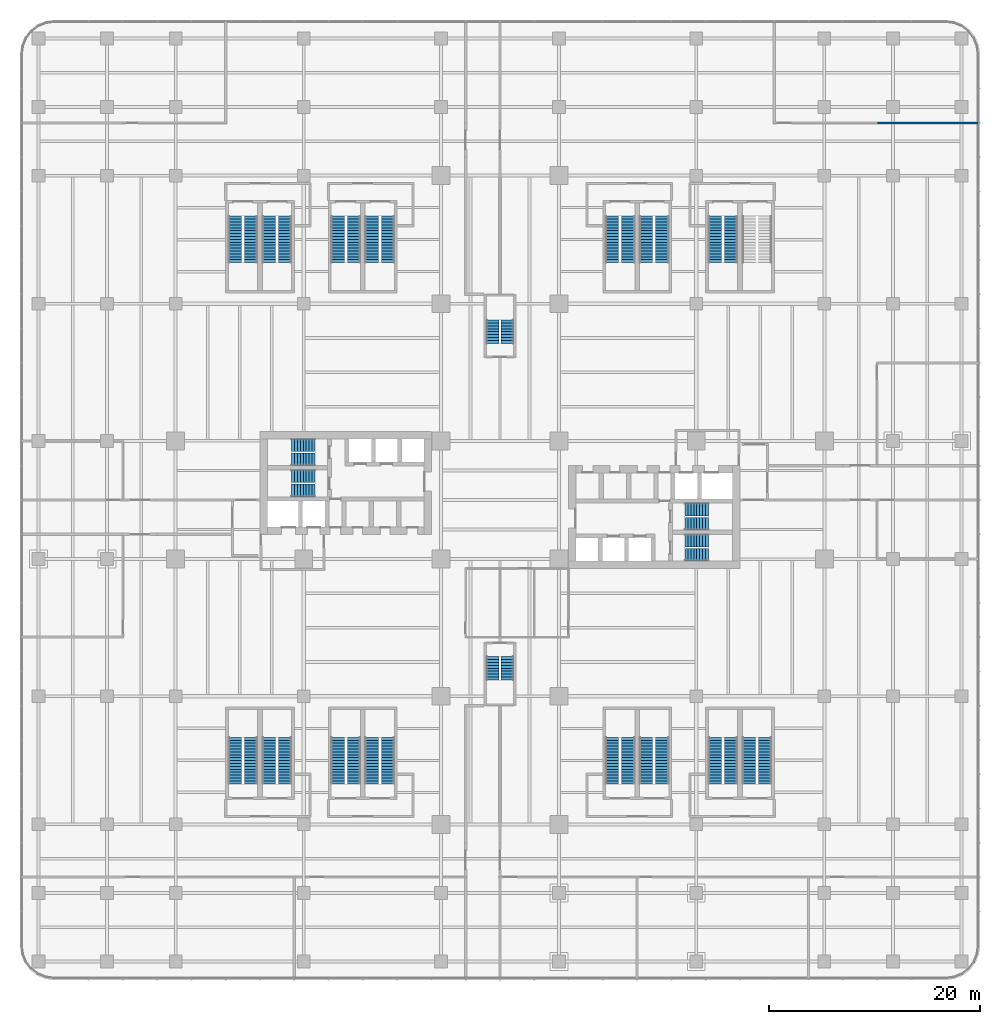
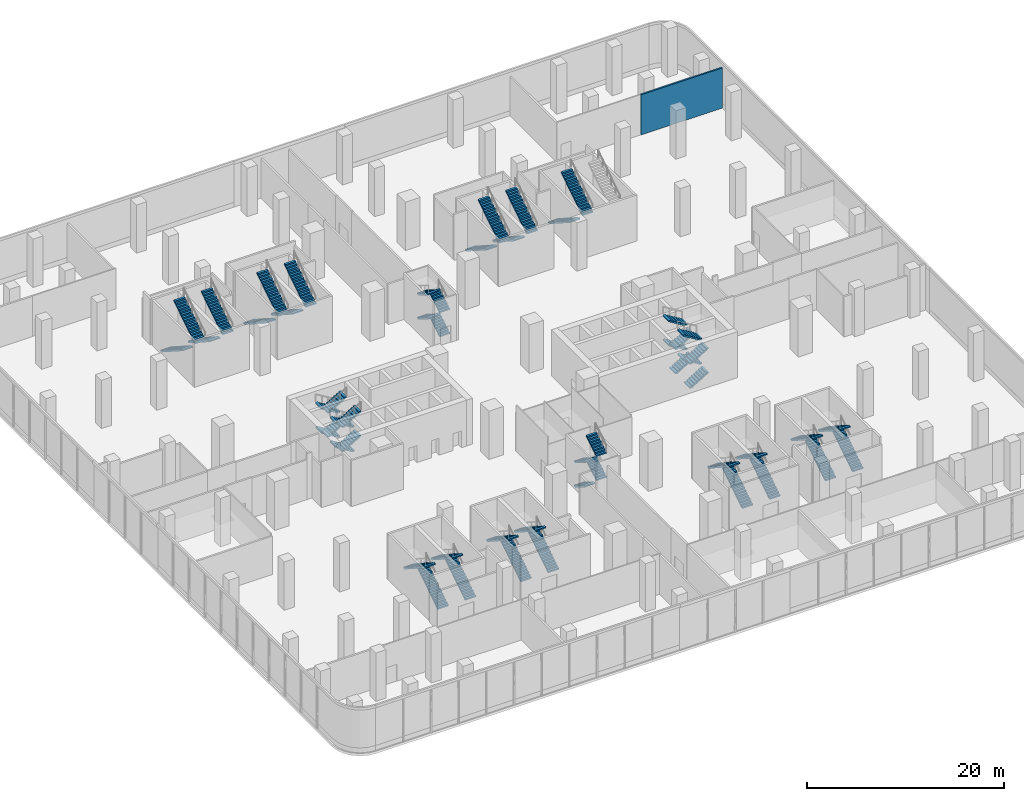
# One storey, part 39 of 41: 54 stair flights, 1 wall, 21 elements without a shape of their own.
"""IFC4 building model written with IfcOpenShell, lengths in metres."""

from ifc_helpers import new_model, si_unit, direction, frame, frame_2d, origin, place, context, subcontext, project, spatial, polyline, rectangle, outline, extrude, source, transform, mapped, material, layer, layer_set, type_object, element, aggregate, save


model = new_model("IFC4")

# Units and contexts
model_context = context("Model", 3, precision=1e-05, world=origin(), true_north=direction((0.0, 1.0)))
body_context = subcontext(model_context, "Body", "Model", "MODEL_VIEW")
ifc_project = project(units=[si_unit("LENGTHUNIT", "METRE"), si_unit("AREAUNIT", "SQUARE_METRE"), si_unit("VOLUMEUNIT", "CUBIC_METRE"), si_unit("PLANEANGLEUNIT", "RADIAN"), si_unit("MASSUNIT", "GRAM", prefix="KILO")], contexts=[model_context])

# Site, building, storey
site_placement = place(None, origin())
site = spatial("IfcSite", under=ifc_project, at=site_placement, CompositionType="ELEMENT")
building_placement = place(site_placement, origin())
building = spatial("IfcBuilding", under=site, at=building_placement, Name="Trellis Farm Tower", CompositionType="ELEMENT")
storey_placement = place(building_placement, frame((0.0, 0.0, 8.0)))
storey = spatial("IfcBuildingStorey", under=building, at=storey_placement, Name="L01", CompositionType="ELEMENT", Elevation=8.0)

# Wall
ifc_material_1 = material(Name="Lightweight blockwork, plastered", Category="masonry")
ifc_layer = layer(ifc_material_1, 0.199951171875)
ifc_layer_set = layer_set([ifc_layer], Name="BLOCK WALL 200 EI 120")
wall_type = type_object("IfcWallType", Name="BLOCK WALL 200 EI 120", PredefinedType="PARTITIONING", material=ifc_layer_set)
shared_shape_1 = source(origin(), body_context, "Body", "SweptSolid", [
    extrude(rectangle(XDim=9.550048828125, YDim=0.199951171875, at=frame_2d((4.77490234375, 0.0))), origin(), (0.0, 0.0, 1.0), 4.99658203125),
])
wall_placement = place(storey_placement, frame((35.75, 35.75, 0.0), z_axis=(0.0, 0.0, 1.0), x_axis=(1.0, 0.0, 0.0)))
element("IfcWall", 1, at=wall_placement, inside=storey, type_object=wall_type, Name="Partition PW3", PredefinedType="PARTITIONING", context=body_context, shape_type="MappedRepresentation", body=[
    mapped(shared_shape_1, transform((0.0, 0.0, 0.0))),
])

# Stair, stair flights
ifc_material_2 = material(Name="Concrete C50/60", Category="concrete")
stair_type_1 = type_object("IfcStairType", Name="CORE EXIT STAIR 36 RISERS 167 MM", PredefinedType="HALF_TURN_STAIR", material=ifc_material_2)
placement = place(storey_placement, origin())
stair_1 = element("IfcStair", 2, at=placement, inside=storey, type_object=stair_type_1, Name="Exit stair N", PredefinedType="HALF_TURN_STAIR")
stair_flight_type_1 = type_object("IfcStairFlightType", Name="STAIR FLIGHT 9 RISERS 167 MM", PredefinedType="STRAIGHT", material=ifc_material_2)
shared_shape_2 = source(origin(), body_context, "Body", "SweptSolid", [
    extrude(outline(polyline([(0.0, 0.0), (0.0, 0.166748046875), (0.27490234375, 0.166748046875), (0.27490234375, 0.333251953125), (0.550048828125, 0.333251953125), (0.550048828125, 0.5), (0.824951171875, 0.5), (0.824951171875, 0.666748046875), (1.10009765625, 0.666748046875), (1.10009765625, 0.833251953125), (1.375, 0.833251953125), (1.375, 1.0), (1.64990234375, 1.0), (1.64990234375, 1.166748046875), (1.925048828125, 1.166748046875), (1.925048828125, 1.333251953125), (2.199951171875, 1.333251953125), (2.199951171875, 1.5), (2.199951171875, 1.181396484375), (0.25048828125, 0.0), (0.0, 0.0)])), frame((0.0, 0.60009765625, 0.0), z_axis=(0.0, -1.0, 0.0), x_axis=(1.0, 0.0, 0.0)), (0.0, 0.0, 1.0), 1.199951171875),
])
stair_flight_1_placement = place(storey_placement, frame((0.699951171875, 14.85009765625, 0.0), z_axis=(0.0, 0.0, 1.0), x_axis=(0.0, 1.0, 0.0)))
stair_flight_1 = element("IfcStairFlight", 3, at=stair_flight_1_placement, type_object=stair_flight_type_1, Name="STN flight 1", NumberOfRisers=9, NumberOfTreads=8, PredefinedType="STRAIGHT", RiserHeight=0.166666667, TreadLength=0.275, context=body_context, shape_type="MappedRepresentation", body=[
    mapped(shared_shape_2, transform((0.0, 0.0, 0.0))),
])
stair_flight_2_placement = place(storey_placement, frame((-0.699951171875, 17.050048828125, 1.5), z_axis=(0.0, 0.0, 1.0), x_axis=(0.0, -1.0, 0.0)))
stair_flight_2 = element("IfcStairFlight", 4, at=stair_flight_2_placement, type_object=stair_flight_type_1, Name="STN flight 2", NumberOfRisers=9, NumberOfTreads=8, PredefinedType="STRAIGHT", RiserHeight=0.166666667, TreadLength=0.275, context=body_context, shape_type="MappedRepresentation", body=[
    mapped(shared_shape_2, transform((0.0, 0.0, 0.0))),
])
stair_flight_3_placement = place(storey_placement, frame((0.699951171875, 14.85009765625, 3.0), z_axis=(0.0, 0.0, 1.0), x_axis=(0.0, 1.0, 0.0)))
stair_flight_3 = element("IfcStairFlight", 5, at=stair_flight_3_placement, type_object=stair_flight_type_1, Name="STN flight 3", NumberOfRisers=9, NumberOfTreads=8, PredefinedType="STRAIGHT", RiserHeight=0.166666667, TreadLength=0.275, context=body_context, shape_type="MappedRepresentation", body=[
    mapped(shared_shape_2, transform((0.0, 0.0, 0.0))),
])
stair_flight_4_placement = place(storey_placement, frame((-0.699951171875, 17.050048828125, 4.5), z_axis=(0.0, 0.0, 1.0), x_axis=(0.0, -1.0, 0.0)))
stair_flight_4 = element("IfcStairFlight", 6, at=stair_flight_4_placement, type_object=stair_flight_type_1, Name="STN flight 4", NumberOfRisers=9, NumberOfTreads=8, PredefinedType="STRAIGHT", RiserHeight=0.166666667, TreadLength=0.275, context=body_context, shape_type="MappedRepresentation", body=[
    mapped(shared_shape_2, transform((0.0, 0.0, 0.0))),
])
aggregate(stair_1, [stair_flight_1, stair_flight_2, stair_flight_3, stair_flight_4])

stair_2 = element("IfcStair", 7, at=placement, inside=storey, type_object=stair_type_1, Name="Exit stair S", PredefinedType="HALF_TURN_STAIR")
stair_flight_5_placement = place(storey_placement, frame((-0.699951171875, -14.85009765625, 0.0), z_axis=(0.0, 0.0, 1.0), x_axis=(0.0, -1.0, 0.0)))
stair_flight_5 = element("IfcStairFlight", 8, at=stair_flight_5_placement, type_object=stair_flight_type_1, Name="STS flight 1", NumberOfRisers=9, NumberOfTreads=8, PredefinedType="STRAIGHT", RiserHeight=0.166666667, TreadLength=0.275, context=body_context, shape_type="MappedRepresentation", body=[
    mapped(shared_shape_2, transform((0.0, 0.0, 0.0))),
])
stair_flight_6_placement = place(storey_placement, frame((0.699951171875, -17.050048828125, 1.5), z_axis=(0.0, 0.0, 1.0), x_axis=(0.0, 1.0, 0.0)))
stair_flight_6 = element("IfcStairFlight", 9, at=stair_flight_6_placement, type_object=stair_flight_type_1, Name="STS flight 2", NumberOfRisers=9, NumberOfTreads=8, PredefinedType="STRAIGHT", RiserHeight=0.166666667, TreadLength=0.275, context=body_context, shape_type="MappedRepresentation", body=[
    mapped(shared_shape_2, transform((0.0, 0.0, 0.0))),
])
stair_flight_7_placement = place(storey_placement, frame((-0.699951171875, -14.85009765625, 3.0), z_axis=(0.0, 0.0, 1.0), x_axis=(0.0, -1.0, 0.0)))
stair_flight_7 = element("IfcStairFlight", 10, at=stair_flight_7_placement, type_object=stair_flight_type_1, Name="STS flight 3", NumberOfRisers=9, NumberOfTreads=8, PredefinedType="STRAIGHT", RiserHeight=0.166666667, TreadLength=0.275, context=body_context, shape_type="MappedRepresentation", body=[
    mapped(shared_shape_2, transform((0.0, 0.0, 0.0))),
])
stair_flight_8_placement = place(storey_placement, frame((0.699951171875, -17.050048828125, 4.5), z_axis=(0.0, 0.0, 1.0), x_axis=(0.0, 1.0, 0.0)))
stair_flight_8 = element("IfcStairFlight", 11, at=stair_flight_8_placement, type_object=stair_flight_type_1, Name="STS flight 4", NumberOfRisers=9, NumberOfTreads=8, PredefinedType="STRAIGHT", RiserHeight=0.166666667, TreadLength=0.275, context=body_context, shape_type="MappedRepresentation", body=[
    mapped(shared_shape_2, transform((0.0, 0.0, 0.0))),
])
aggregate(stair_2, [stair_flight_5, stair_flight_6, stair_flight_7, stair_flight_8])

stair_3 = element("IfcStair", 12, at=placement, inside=storey, type_object=stair_type_1, Name="Exit stair E1", PredefinedType="HALF_TURN_STAIR")
stair_flight_9_placement = place(storey_placement, frame((17.550048828125, -5.199951171875, 0.0), z_axis=(0.0, 0.0, 1.0), x_axis=(1.0, 0.0, 0.0)))
stair_flight_9 = element("IfcStairFlight", 13, at=stair_flight_9_placement, type_object=stair_flight_type_1, Name="STE1 flight 1", NumberOfRisers=9, NumberOfTreads=8, PredefinedType="STRAIGHT", RiserHeight=0.166666667, TreadLength=0.275, context=body_context, shape_type="MappedRepresentation", body=[
    mapped(shared_shape_2, transform((0.0, 0.0, 0.0))),
])
stair_flight_10_placement = place(storey_placement, frame((19.75, -3.85009765625, 1.5), z_axis=(0.0, 0.0, 1.0), x_axis=(-1.0, 0.0, 0.0)))
stair_flight_10 = element("IfcStairFlight", 14, at=stair_flight_10_placement, type_object=stair_flight_type_1, Name="STE1 flight 2", NumberOfRisers=9, NumberOfTreads=8, PredefinedType="STRAIGHT", RiserHeight=0.166666667, TreadLength=0.275, context=body_context, shape_type="MappedRepresentation", body=[
    mapped(shared_shape_2, transform((0.0, 0.0, 0.0))),
])
stair_flight_11_placement = place(storey_placement, frame((17.550048828125, -5.199951171875, 3.0), z_axis=(0.0, 0.0, 1.0), x_axis=(1.0, 0.0, 0.0)))
stair_flight_11 = element("IfcStairFlight", 15, at=stair_flight_11_placement, type_object=stair_flight_type_1, Name="STE1 flight 3", NumberOfRisers=9, NumberOfTreads=8, PredefinedType="STRAIGHT", RiserHeight=0.166666667, TreadLength=0.275, context=body_context, shape_type="MappedRepresentation", body=[
    mapped(shared_shape_2, transform((0.0, 0.0, 0.0))),
])
stair_flight_12_placement = place(storey_placement, frame((19.75, -3.85009765625, 4.5), z_axis=(0.0, 0.0, 1.0), x_axis=(-1.0, 0.0, 0.0)))
stair_flight_12 = element("IfcStairFlight", 16, at=stair_flight_12_placement, type_object=stair_flight_type_1, Name="STE1 flight 4", NumberOfRisers=9, NumberOfTreads=8, PredefinedType="STRAIGHT", RiserHeight=0.166666667, TreadLength=0.275, context=body_context, shape_type="MappedRepresentation", body=[
    mapped(shared_shape_2, transform((0.0, 0.0, 0.0))),
])
aggregate(stair_3, [stair_flight_9, stair_flight_10, stair_flight_11, stair_flight_12])

stair_4 = element("IfcStair", 17, at=placement, inside=storey, type_object=stair_type_1, Name="Exit stair E2", PredefinedType="HALF_TURN_STAIR")
stair_flight_13_placement = place(storey_placement, frame((17.550048828125, -2.25, 0.0), z_axis=(0.0, 0.0, 1.0), x_axis=(1.0, 0.0, 0.0)))
stair_flight_13 = element("IfcStairFlight", 18, at=stair_flight_13_placement, type_object=stair_flight_type_1, Name="STE2 flight 1", NumberOfRisers=9, NumberOfTreads=8, PredefinedType="STRAIGHT", RiserHeight=0.166666667, TreadLength=0.275, context=body_context, shape_type="MappedRepresentation", body=[
    mapped(shared_shape_2, transform((0.0, 0.0, 0.0))),
])
stair_flight_14_placement = place(storey_placement, frame((19.75, -0.89990234375, 1.5), z_axis=(0.0, 0.0, 1.0), x_axis=(-1.0, 0.0, 0.0)))
stair_flight_14 = element("IfcStairFlight", 19, at=stair_flight_14_placement, type_object=stair_flight_type_1, Name="STE2 flight 2", NumberOfRisers=9, NumberOfTreads=8, PredefinedType="STRAIGHT", RiserHeight=0.166666667, TreadLength=0.275, context=body_context, shape_type="MappedRepresentation", body=[
    mapped(shared_shape_2, transform((0.0, 0.0, 0.0))),
])
stair_flight_15_placement = place(storey_placement, frame((17.550048828125, -2.25, 3.0), z_axis=(0.0, 0.0, 1.0), x_axis=(1.0, 0.0, 0.0)))
stair_flight_15 = element("IfcStairFlight", 20, at=stair_flight_15_placement, type_object=stair_flight_type_1, Name="STE2 flight 3", NumberOfRisers=9, NumberOfTreads=8, PredefinedType="STRAIGHT", RiserHeight=0.166666667, TreadLength=0.275, context=body_context, shape_type="MappedRepresentation", body=[
    mapped(shared_shape_2, transform((0.0, 0.0, 0.0))),
])
stair_flight_16_placement = place(storey_placement, frame((19.75, -0.89990234375, 4.5), z_axis=(0.0, 0.0, 1.0), x_axis=(-1.0, 0.0, 0.0)))
stair_flight_16 = element("IfcStairFlight", 21, at=stair_flight_16_placement, type_object=stair_flight_type_1, Name="STE2 flight 4", NumberOfRisers=9, NumberOfTreads=8, PredefinedType="STRAIGHT", RiserHeight=0.166666667, TreadLength=0.275, context=body_context, shape_type="MappedRepresentation", body=[
    mapped(shared_shape_2, transform((0.0, 0.0, 0.0))),
])
aggregate(stair_4, [stair_flight_13, stair_flight_14, stair_flight_15, stair_flight_16])

stair_5 = element("IfcStair", 22, at=placement, inside=storey, type_object=stair_type_1, Name="Exit stair W1", PredefinedType="HALF_TURN_STAIR")
stair_flight_17_placement = place(storey_placement, frame((-17.550048828125, 5.199951171875, 0.0), z_axis=(0.0, 0.0, 1.0), x_axis=(-1.0, 0.0, 0.0)))
stair_flight_17 = element("IfcStairFlight", 23, at=stair_flight_17_placement, type_object=stair_flight_type_1, Name="STW1 flight 1", NumberOfRisers=9, NumberOfTreads=8, PredefinedType="STRAIGHT", RiserHeight=0.166666667, TreadLength=0.275, context=body_context, shape_type="MappedRepresentation", body=[
    mapped(shared_shape_2, transform((0.0, 0.0, 0.0))),
])
stair_flight_18_placement = place(storey_placement, frame((-19.75, 3.85009765625, 1.5), z_axis=(0.0, 0.0, 1.0), x_axis=(1.0, 0.0, 0.0)))
stair_flight_18 = element("IfcStairFlight", 24, at=stair_flight_18_placement, type_object=stair_flight_type_1, Name="STW1 flight 2", NumberOfRisers=9, NumberOfTreads=8, PredefinedType="STRAIGHT", RiserHeight=0.166666667, TreadLength=0.275, context=body_context, shape_type="MappedRepresentation", body=[
    mapped(shared_shape_2, transform((0.0, 0.0, 0.0))),
])
stair_flight_19_placement = place(storey_placement, frame((-17.550048828125, 5.199951171875, 3.0), z_axis=(0.0, 0.0, 1.0), x_axis=(-1.0, 0.0, 0.0)))
stair_flight_19 = element("IfcStairFlight", 25, at=stair_flight_19_placement, type_object=stair_flight_type_1, Name="STW1 flight 3", NumberOfRisers=9, NumberOfTreads=8, PredefinedType="STRAIGHT", RiserHeight=0.166666667, TreadLength=0.275, context=body_context, shape_type="MappedRepresentation", body=[
    mapped(shared_shape_2, transform((0.0, 0.0, 0.0))),
])
stair_flight_20_placement = place(storey_placement, frame((-19.75, 3.85009765625, 4.5), z_axis=(0.0, 0.0, 1.0), x_axis=(1.0, 0.0, 0.0)))
stair_flight_20 = element("IfcStairFlight", 26, at=stair_flight_20_placement, type_object=stair_flight_type_1, Name="STW1 flight 4", NumberOfRisers=9, NumberOfTreads=8, PredefinedType="STRAIGHT", RiserHeight=0.166666667, TreadLength=0.275, context=body_context, shape_type="MappedRepresentation", body=[
    mapped(shared_shape_2, transform((0.0, 0.0, 0.0))),
])
aggregate(stair_5, [stair_flight_17, stair_flight_18, stair_flight_19, stair_flight_20])

stair_6 = element("IfcStair", 27, at=placement, inside=storey, type_object=stair_type_1, Name="Exit stair W2", PredefinedType="HALF_TURN_STAIR")
stair_flight_21_placement = place(storey_placement, frame((-17.550048828125, 2.25, 0.0), z_axis=(0.0, 0.0, 1.0), x_axis=(-1.0, 0.0, 0.0)))
stair_flight_21 = element("IfcStairFlight", 28, at=stair_flight_21_placement, type_object=stair_flight_type_1, Name="STW2 flight 1", NumberOfRisers=9, NumberOfTreads=8, PredefinedType="STRAIGHT", RiserHeight=0.166666667, TreadLength=0.275, context=body_context, shape_type="MappedRepresentation", body=[
    mapped(shared_shape_2, transform((0.0, 0.0, 0.0))),
])
stair_flight_22_placement = place(storey_placement, frame((-19.75, 0.89990234375, 1.5), z_axis=(0.0, 0.0, 1.0), x_axis=(1.0, 0.0, 0.0)))
stair_flight_22 = element("IfcStairFlight", 29, at=stair_flight_22_placement, type_object=stair_flight_type_1, Name="STW2 flight 2", NumberOfRisers=9, NumberOfTreads=8, PredefinedType="STRAIGHT", RiserHeight=0.166666667, TreadLength=0.275, context=body_context, shape_type="MappedRepresentation", body=[
    mapped(shared_shape_2, transform((0.0, 0.0, 0.0))),
])
stair_flight_23_placement = place(storey_placement, frame((-17.550048828125, 2.25, 3.0), z_axis=(0.0, 0.0, 1.0), x_axis=(-1.0, 0.0, 0.0)))
stair_flight_23 = element("IfcStairFlight", 30, at=stair_flight_23_placement, type_object=stair_flight_type_1, Name="STW2 flight 3", NumberOfRisers=9, NumberOfTreads=8, PredefinedType="STRAIGHT", RiserHeight=0.166666667, TreadLength=0.275, context=body_context, shape_type="MappedRepresentation", body=[
    mapped(shared_shape_2, transform((0.0, 0.0, 0.0))),
])
stair_flight_24_placement = place(storey_placement, frame((-19.75, 0.89990234375, 4.5), z_axis=(0.0, 0.0, 1.0), x_axis=(1.0, 0.0, 0.0)))
stair_flight_24 = element("IfcStairFlight", 31, at=stair_flight_24_placement, type_object=stair_flight_type_1, Name="STW2 flight 4", NumberOfRisers=9, NumberOfTreads=8, PredefinedType="STRAIGHT", RiserHeight=0.166666667, TreadLength=0.275, context=body_context, shape_type="MappedRepresentation", body=[
    mapped(shared_shape_2, transform((0.0, 0.0, 0.0))),
])
aggregate(stair_6, [stair_flight_21, stair_flight_22, stair_flight_23, stair_flight_24])

stair_type_2 = type_object("IfcStairType", Name="PODIUM EXIT STAIR 34 RISERS 176 MM 1250 WIDE", PredefinedType="HALF_TURN_STAIR", material=ifc_material_2)
stair_7 = element("IfcStair", 32, at=placement, inside=storey, type_object=stair_type_2, Name="Podium exit stair STP1A", PredefinedType="HALF_TURN_STAIR")
stair_flight_type_2 = type_object("IfcStairFlightType", Name="PODIUM STAIR FLIGHT 17 RISERS 176 MM 1250 WIDE", PredefinedType="STRAIGHT", material=ifc_material_2)
shared_shape_3 = source(origin(), body_context, "Body", "SweptSolid", [
    extrude(outline(polyline([(0.0, 0.0), (0.0, 0.176513671875), (0.27490234375, 0.176513671875), (0.27490234375, 0.35302734375), (0.550048828125, 0.35302734375), (0.550048828125, 0.529296875), (0.824951171875, 0.529296875), (0.824951171875, 0.705810546875), (1.10009765625, 0.705810546875), (1.10009765625, 0.88232421875), (1.375, 0.88232421875), (1.375, 1.058837890625), (1.64990234375, 1.058837890625), (1.64990234375, 1.2353515625), (1.925048828125, 1.2353515625), (1.925048828125, 1.411865234375), (2.199951171875, 1.411865234375), (2.199951171875, 1.588134765625), (2.47509765625, 1.588134765625), (2.47509765625, 1.7646484375), (2.75, 1.7646484375), (2.75, 1.941162109375), (3.02490234375, 1.941162109375), (3.02490234375, 2.11767578125), (3.300048828125, 2.11767578125), (3.300048828125, 2.294189453125), (3.574951171875, 2.294189453125), (3.574951171875, 2.470703125), (3.85009765625, 2.470703125), (3.85009765625, 2.64697265625), (4.125, 2.64697265625), (4.125, 2.823486328125), (4.39990234375, 2.823486328125), (4.39990234375, 3.0), (4.39990234375, 2.669189453125), (0.240478515625, 0.0), (0.0, 0.0)])), frame((0.0, 0.625, 0.0), z_axis=(0.0, -1.0, 0.0), x_axis=(1.0, 0.0, 0.0)), (0.0, 0.0, 1.0), 1.25),
])
stair_flight_25_placement = place(storey_placement, frame((-25.125, 26.89990234375, 0.0), z_axis=(0.0, 0.0, 1.0), x_axis=(0.0, -1.0, 0.0)))
stair_flight_25 = element("IfcStairFlight", 33, at=stair_flight_25_placement, type_object=stair_flight_type_2, Name="STP1A flight 1", NumberOfRisers=17, NumberOfTreads=16, PredefinedType="STRAIGHT", RiserHeight=0.176470588, TreadLength=0.275, context=body_context, shape_type="MappedRepresentation", body=[
    mapped(shared_shape_3, transform((0.0, 0.0, 0.0))),
])
stair_flight_26_placement = place(storey_placement, frame((-23.594970703125, 22.5, 3.0), z_axis=(0.0, 0.0, 1.0), x_axis=(0.0, 1.0, 0.0)))
stair_flight_26 = element("IfcStairFlight", 34, at=stair_flight_26_placement, type_object=stair_flight_type_2, Name="STP1A flight 2", NumberOfRisers=17, NumberOfTreads=16, PredefinedType="STRAIGHT", RiserHeight=0.176470588, TreadLength=0.275, context=body_context, shape_type="MappedRepresentation", body=[
    mapped(shared_shape_3, transform((0.0, 0.0, 0.0))),
])
aggregate(stair_7, [stair_flight_25, stair_flight_26])

stair_8 = element("IfcStair", 35, at=placement, inside=storey, type_object=stair_type_2, Name="Podium exit stair STP1B", PredefinedType="HALF_TURN_STAIR")
stair_flight_27_placement = place(storey_placement, frame((-21.905029296875, 26.89990234375, 0.0), z_axis=(0.0, 0.0, 1.0), x_axis=(0.0, -1.0, 0.0)))
stair_flight_27 = element("IfcStairFlight", 36, at=stair_flight_27_placement, type_object=stair_flight_type_2, Name="STP1B flight 1", NumberOfRisers=17, NumberOfTreads=16, PredefinedType="STRAIGHT", RiserHeight=0.176470588, TreadLength=0.275, context=body_context, shape_type="MappedRepresentation", body=[
    mapped(shared_shape_3, transform((0.0, 0.0, 0.0))),
])
stair_flight_28_placement = place(storey_placement, frame((-20.375, 22.5, 3.0), z_axis=(0.0, 0.0, 1.0), x_axis=(0.0, 1.0, 0.0)))
stair_flight_28 = element("IfcStairFlight", 37, at=stair_flight_28_placement, type_object=stair_flight_type_2, Name="STP1B flight 2", NumberOfRisers=17, NumberOfTreads=16, PredefinedType="STRAIGHT", RiserHeight=0.176470588, TreadLength=0.275, context=body_context, shape_type="MappedRepresentation", body=[
    mapped(shared_shape_3, transform((0.0, 0.0, 0.0))),
])
aggregate(stair_8, [stair_flight_27, stair_flight_28])

stair_9 = element("IfcStair", 38, at=placement, inside=storey, type_object=stair_type_2, Name="Podium exit stair STP2A", PredefinedType="HALF_TURN_STAIR")
stair_flight_29_placement = place(storey_placement, frame((-15.375, 26.89990234375, 0.0), z_axis=(0.0, 0.0, 1.0), x_axis=(0.0, -1.0, 0.0)))
stair_flight_29 = element("IfcStairFlight", 39, at=stair_flight_29_placement, type_object=stair_flight_type_2, Name="STP2A flight 1", NumberOfRisers=17, NumberOfTreads=16, PredefinedType="STRAIGHT", RiserHeight=0.176470588, TreadLength=0.275, context=body_context, shape_type="MappedRepresentation", body=[
    mapped(shared_shape_3, transform((0.0, 0.0, 0.0))),
])
stair_flight_30_placement = place(storey_placement, frame((-13.844970703125, 22.5, 3.0), z_axis=(0.0, 0.0, 1.0), x_axis=(0.0, 1.0, 0.0)))
stair_flight_30 = element("IfcStairFlight", 40, at=stair_flight_30_placement, type_object=stair_flight_type_2, Name="STP2A flight 2", NumberOfRisers=17, NumberOfTreads=16, PredefinedType="STRAIGHT", RiserHeight=0.176470588, TreadLength=0.275, context=body_context, shape_type="MappedRepresentation", body=[
    mapped(shared_shape_3, transform((0.0, 0.0, 0.0))),
])
aggregate(stair_9, [stair_flight_29, stair_flight_30])

stair_10 = element("IfcStair", 41, at=placement, inside=storey, type_object=stair_type_2, Name="Podium exit stair STP2B", PredefinedType="HALF_TURN_STAIR")
stair_flight_31_placement = place(storey_placement, frame((-12.155029296875, 26.89990234375, 0.0), z_axis=(0.0, 0.0, 1.0), x_axis=(0.0, -1.0, 0.0)))
stair_flight_31 = element("IfcStairFlight", 42, at=stair_flight_31_placement, type_object=stair_flight_type_2, Name="STP2B flight 1", NumberOfRisers=17, NumberOfTreads=16, PredefinedType="STRAIGHT", RiserHeight=0.176470588, TreadLength=0.275, context=body_context, shape_type="MappedRepresentation", body=[
    mapped(shared_shape_3, transform((0.0, 0.0, 0.0))),
])
stair_flight_32_placement = place(storey_placement, frame((-10.625, 22.5, 3.0), z_axis=(0.0, 0.0, 1.0), x_axis=(0.0, 1.0, 0.0)))
stair_flight_32 = element("IfcStairFlight", 43, at=stair_flight_32_placement, type_object=stair_flight_type_2, Name="STP2B flight 2", NumberOfRisers=17, NumberOfTreads=16, PredefinedType="STRAIGHT", RiserHeight=0.176470588, TreadLength=0.275, context=body_context, shape_type="MappedRepresentation", body=[
    mapped(shared_shape_3, transform((0.0, 0.0, 0.0))),
])
aggregate(stair_10, [stair_flight_31, stair_flight_32])

stair_11 = element("IfcStair", 44, at=placement, inside=storey, type_object=stair_type_2, Name="Podium exit stair STP3A", PredefinedType="HALF_TURN_STAIR")
stair_flight_33_placement = place(storey_placement, frame((10.625, 26.89990234375, 0.0), z_axis=(0.0, 0.0, 1.0), x_axis=(0.0, -1.0, 0.0)))
stair_flight_33 = element("IfcStairFlight", 45, at=stair_flight_33_placement, type_object=stair_flight_type_2, Name="STP3A flight 1", NumberOfRisers=17, NumberOfTreads=16, PredefinedType="STRAIGHT", RiserHeight=0.176470588, TreadLength=0.275, context=body_context, shape_type="MappedRepresentation", body=[
    mapped(shared_shape_3, transform((0.0, 0.0, 0.0))),
])
stair_flight_34_placement = place(storey_placement, frame((12.155029296875, 22.5, 3.0), z_axis=(0.0, 0.0, 1.0), x_axis=(0.0, 1.0, 0.0)))
stair_flight_34 = element("IfcStairFlight", 46, at=stair_flight_34_placement, type_object=stair_flight_type_2, Name="STP3A flight 2", NumberOfRisers=17, NumberOfTreads=16, PredefinedType="STRAIGHT", RiserHeight=0.176470588, TreadLength=0.275, context=body_context, shape_type="MappedRepresentation", body=[
    mapped(shared_shape_3, transform((0.0, 0.0, 0.0))),
])
aggregate(stair_11, [stair_flight_33, stair_flight_34])

stair_12 = element("IfcStair", 47, at=placement, inside=storey, type_object=stair_type_2, Name="Podium exit stair STP3B", PredefinedType="HALF_TURN_STAIR")
stair_flight_35_placement = place(storey_placement, frame((13.844970703125, 26.89990234375, 0.0), z_axis=(0.0, 0.0, 1.0), x_axis=(0.0, -1.0, 0.0)))
stair_flight_35 = element("IfcStairFlight", 48, at=stair_flight_35_placement, type_object=stair_flight_type_2, Name="STP3B flight 1", NumberOfRisers=17, NumberOfTreads=16, PredefinedType="STRAIGHT", RiserHeight=0.176470588, TreadLength=0.275, context=body_context, shape_type="MappedRepresentation", body=[
    mapped(shared_shape_3, transform((0.0, 0.0, 0.0))),
])
stair_flight_36_placement = place(storey_placement, frame((15.375, 22.5, 3.0), z_axis=(0.0, 0.0, 1.0), x_axis=(0.0, 1.0, 0.0)))
stair_flight_36 = element("IfcStairFlight", 49, at=stair_flight_36_placement, type_object=stair_flight_type_2, Name="STP3B flight 2", NumberOfRisers=17, NumberOfTreads=16, PredefinedType="STRAIGHT", RiserHeight=0.176470588, TreadLength=0.275, context=body_context, shape_type="MappedRepresentation", body=[
    mapped(shared_shape_3, transform((0.0, 0.0, 0.0))),
])
aggregate(stair_12, [stair_flight_35, stair_flight_36])

stair_13 = element("IfcStair", 50, at=placement, inside=storey, type_object=stair_type_2, Name="Podium exit stair STP4A", PredefinedType="HALF_TURN_STAIR")
stair_flight_37_placement = place(storey_placement, frame((20.375, 26.89990234375, 0.0), z_axis=(0.0, 0.0, 1.0), x_axis=(0.0, -1.0, 0.0)))
stair_flight_37 = element("IfcStairFlight", 51, at=stair_flight_37_placement, type_object=stair_flight_type_2, Name="STP4A flight 1", NumberOfRisers=17, NumberOfTreads=16, PredefinedType="STRAIGHT", RiserHeight=0.176470588, TreadLength=0.275, context=body_context, shape_type="MappedRepresentation", body=[
    mapped(shared_shape_3, transform((0.0, 0.0, 0.0))),
])
stair_flight_38_placement = place(storey_placement, frame((21.905029296875, 22.5, 3.0), z_axis=(0.0, 0.0, 1.0), x_axis=(0.0, 1.0, 0.0)))
stair_flight_38 = element("IfcStairFlight", 52, at=stair_flight_38_placement, type_object=stair_flight_type_2, Name="STP4A flight 2", NumberOfRisers=17, NumberOfTreads=16, PredefinedType="STRAIGHT", RiserHeight=0.176470588, TreadLength=0.275, context=body_context, shape_type="MappedRepresentation", body=[
    mapped(shared_shape_3, transform((0.0, 0.0, 0.0))),
])
aggregate(stair_13, [stair_flight_37, stair_flight_38])

stair_14 = element("IfcStair", 53, at=placement, inside=storey, type_object=stair_type_2, Name="Podium exit stair STP5A", PredefinedType="HALF_TURN_STAIR")
stair_flight_39_placement = place(storey_placement, frame((-23.594970703125, -26.89990234375, 0.0), z_axis=(0.0, 0.0, 1.0), x_axis=(0.0, 1.0, 0.0)))
stair_flight_39 = element("IfcStairFlight", 54, at=stair_flight_39_placement, type_object=stair_flight_type_2, Name="STP5A flight 1", NumberOfRisers=17, NumberOfTreads=16, PredefinedType="STRAIGHT", RiserHeight=0.176470588, TreadLength=0.275, context=body_context, shape_type="MappedRepresentation", body=[
    mapped(shared_shape_3, transform((0.0, 0.0, 0.0))),
])
stair_flight_40_placement = place(storey_placement, frame((-25.125, -22.5, 3.0), z_axis=(0.0, 0.0, 1.0), x_axis=(0.0, -1.0, 0.0)))
stair_flight_40 = element("IfcStairFlight", 55, at=stair_flight_40_placement, type_object=stair_flight_type_2, Name="STP5A flight 2", NumberOfRisers=17, NumberOfTreads=16, PredefinedType="STRAIGHT", RiserHeight=0.176470588, TreadLength=0.275, context=body_context, shape_type="MappedRepresentation", body=[
    mapped(shared_shape_3, transform((0.0, 0.0, 0.0))),
])
aggregate(stair_14, [stair_flight_39, stair_flight_40])

stair_15 = element("IfcStair", 56, at=placement, inside=storey, type_object=stair_type_2, Name="Podium exit stair STP5B", PredefinedType="HALF_TURN_STAIR")
stair_flight_41_placement = place(storey_placement, frame((-20.375, -26.89990234375, 0.0), z_axis=(0.0, 0.0, 1.0), x_axis=(0.0, 1.0, 0.0)))
stair_flight_41 = element("IfcStairFlight", 57, at=stair_flight_41_placement, type_object=stair_flight_type_2, Name="STP5B flight 1", NumberOfRisers=17, NumberOfTreads=16, PredefinedType="STRAIGHT", RiserHeight=0.176470588, TreadLength=0.275, context=body_context, shape_type="MappedRepresentation", body=[
    mapped(shared_shape_3, transform((0.0, 0.0, 0.0))),
])
stair_flight_42_placement = place(storey_placement, frame((-21.905029296875, -22.5, 3.0), z_axis=(0.0, 0.0, 1.0), x_axis=(0.0, -1.0, 0.0)))
stair_flight_42 = element("IfcStairFlight", 58, at=stair_flight_42_placement, type_object=stair_flight_type_2, Name="STP5B flight 2", NumberOfRisers=17, NumberOfTreads=16, PredefinedType="STRAIGHT", RiserHeight=0.176470588, TreadLength=0.275, context=body_context, shape_type="MappedRepresentation", body=[
    mapped(shared_shape_3, transform((0.0, 0.0, 0.0))),
])
aggregate(stair_15, [stair_flight_41, stair_flight_42])

stair_16 = element("IfcStair", 59, at=placement, inside=storey, type_object=stair_type_2, Name="Podium exit stair STP6A", PredefinedType="HALF_TURN_STAIR")
stair_flight_43_placement = place(storey_placement, frame((-13.844970703125, -26.89990234375, 0.0), z_axis=(0.0, 0.0, 1.0), x_axis=(0.0, 1.0, 0.0)))
stair_flight_43 = element("IfcStairFlight", 60, at=stair_flight_43_placement, type_object=stair_flight_type_2, Name="STP6A flight 1", NumberOfRisers=17, NumberOfTreads=16, PredefinedType="STRAIGHT", RiserHeight=0.176470588, TreadLength=0.275, context=body_context, shape_type="MappedRepresentation", body=[
    mapped(shared_shape_3, transform((0.0, 0.0, 0.0))),
])
stair_flight_44_placement = place(storey_placement, frame((-15.375, -22.5, 3.0), z_axis=(0.0, 0.0, 1.0), x_axis=(0.0, -1.0, 0.0)))
stair_flight_44 = element("IfcStairFlight", 61, at=stair_flight_44_placement, type_object=stair_flight_type_2, Name="STP6A flight 2", NumberOfRisers=17, NumberOfTreads=16, PredefinedType="STRAIGHT", RiserHeight=0.176470588, TreadLength=0.275, context=body_context, shape_type="MappedRepresentation", body=[
    mapped(shared_shape_3, transform((0.0, 0.0, 0.0))),
])
aggregate(stair_16, [stair_flight_43, stair_flight_44])

stair_17 = element("IfcStair", 62, at=placement, inside=storey, type_object=stair_type_2, Name="Podium exit stair STP6B", PredefinedType="HALF_TURN_STAIR")
stair_flight_45_placement = place(storey_placement, frame((-10.625, -26.89990234375, 0.0), z_axis=(0.0, 0.0, 1.0), x_axis=(0.0, 1.0, 0.0)))
stair_flight_45 = element("IfcStairFlight", 63, at=stair_flight_45_placement, type_object=stair_flight_type_2, Name="STP6B flight 1", NumberOfRisers=17, NumberOfTreads=16, PredefinedType="STRAIGHT", RiserHeight=0.176470588, TreadLength=0.275, context=body_context, shape_type="MappedRepresentation", body=[
    mapped(shared_shape_3, transform((0.0, 0.0, 0.0))),
])
stair_flight_46_placement = place(storey_placement, frame((-12.155029296875, -22.5, 3.0), z_axis=(0.0, 0.0, 1.0), x_axis=(0.0, -1.0, 0.0)))
stair_flight_46 = element("IfcStairFlight", 64, at=stair_flight_46_placement, type_object=stair_flight_type_2, Name="STP6B flight 2", NumberOfRisers=17, NumberOfTreads=16, PredefinedType="STRAIGHT", RiserHeight=0.176470588, TreadLength=0.275, context=body_context, shape_type="MappedRepresentation", body=[
    mapped(shared_shape_3, transform((0.0, 0.0, 0.0))),
])
aggregate(stair_17, [stair_flight_45, stair_flight_46])

stair_18 = element("IfcStair", 65, at=placement, inside=storey, type_object=stair_type_2, Name="Podium exit stair STP7A", PredefinedType="HALF_TURN_STAIR")
stair_flight_47_placement = place(storey_placement, frame((12.155029296875, -26.89990234375, 0.0), z_axis=(0.0, 0.0, 1.0), x_axis=(0.0, 1.0, 0.0)))
stair_flight_47 = element("IfcStairFlight", 66, at=stair_flight_47_placement, type_object=stair_flight_type_2, Name="STP7A flight 1", NumberOfRisers=17, NumberOfTreads=16, PredefinedType="STRAIGHT", RiserHeight=0.176470588, TreadLength=0.275, context=body_context, shape_type="MappedRepresentation", body=[
    mapped(shared_shape_3, transform((0.0, 0.0, 0.0))),
])
stair_flight_48_placement = place(storey_placement, frame((10.625, -22.5, 3.0), z_axis=(0.0, 0.0, 1.0), x_axis=(0.0, -1.0, 0.0)))
stair_flight_48 = element("IfcStairFlight", 67, at=stair_flight_48_placement, type_object=stair_flight_type_2, Name="STP7A flight 2", NumberOfRisers=17, NumberOfTreads=16, PredefinedType="STRAIGHT", RiserHeight=0.176470588, TreadLength=0.275, context=body_context, shape_type="MappedRepresentation", body=[
    mapped(shared_shape_3, transform((0.0, 0.0, 0.0))),
])
aggregate(stair_18, [stair_flight_47, stair_flight_48])

stair_19 = element("IfcStair", 68, at=placement, inside=storey, type_object=stair_type_2, Name="Podium exit stair STP7B", PredefinedType="HALF_TURN_STAIR")
stair_flight_49_placement = place(storey_placement, frame((15.375, -26.89990234375, 0.0), z_axis=(0.0, 0.0, 1.0), x_axis=(0.0, 1.0, 0.0)))
stair_flight_49 = element("IfcStairFlight", 69, at=stair_flight_49_placement, type_object=stair_flight_type_2, Name="STP7B flight 1", NumberOfRisers=17, NumberOfTreads=16, PredefinedType="STRAIGHT", RiserHeight=0.176470588, TreadLength=0.275, context=body_context, shape_type="MappedRepresentation", body=[
    mapped(shared_shape_3, transform((0.0, 0.0, 0.0))),
])
stair_flight_50_placement = place(storey_placement, frame((13.844970703125, -22.5, 3.0), z_axis=(0.0, 0.0, 1.0), x_axis=(0.0, -1.0, 0.0)))
stair_flight_50 = element("IfcStairFlight", 70, at=stair_flight_50_placement, type_object=stair_flight_type_2, Name="STP7B flight 2", NumberOfRisers=17, NumberOfTreads=16, PredefinedType="STRAIGHT", RiserHeight=0.176470588, TreadLength=0.275, context=body_context, shape_type="MappedRepresentation", body=[
    mapped(shared_shape_3, transform((0.0, 0.0, 0.0))),
])
aggregate(stair_19, [stair_flight_49, stair_flight_50])

stair_20 = element("IfcStair", 71, at=placement, inside=storey, type_object=stair_type_2, Name="Podium exit stair STP8A", PredefinedType="HALF_TURN_STAIR")
stair_flight_51_placement = place(storey_placement, frame((21.905029296875, -26.89990234375, 0.0), z_axis=(0.0, 0.0, 1.0), x_axis=(0.0, 1.0, 0.0)))
stair_flight_51 = element("IfcStairFlight", 72, at=stair_flight_51_placement, type_object=stair_flight_type_2, Name="STP8A flight 1", NumberOfRisers=17, NumberOfTreads=16, PredefinedType="STRAIGHT", RiserHeight=0.176470588, TreadLength=0.275, context=body_context, shape_type="MappedRepresentation", body=[
    mapped(shared_shape_3, transform((0.0, 0.0, 0.0))),
])
stair_flight_52_placement = place(storey_placement, frame((20.375, -22.5, 3.0), z_axis=(0.0, 0.0, 1.0), x_axis=(0.0, -1.0, 0.0)))
stair_flight_52 = element("IfcStairFlight", 73, at=stair_flight_52_placement, type_object=stair_flight_type_2, Name="STP8A flight 2", NumberOfRisers=17, NumberOfTreads=16, PredefinedType="STRAIGHT", RiserHeight=0.176470588, TreadLength=0.275, context=body_context, shape_type="MappedRepresentation", body=[
    mapped(shared_shape_3, transform((0.0, 0.0, 0.0))),
])
aggregate(stair_20, [stair_flight_51, stair_flight_52])

stair_21 = element("IfcStair", 74, at=placement, inside=storey, type_object=stair_type_2, Name="Podium exit stair STP8B", PredefinedType="HALF_TURN_STAIR")
stair_flight_53_placement = place(storey_placement, frame((25.125, -26.89990234375, 0.0), z_axis=(0.0, 0.0, 1.0), x_axis=(0.0, 1.0, 0.0)))
stair_flight_53 = element("IfcStairFlight", 75, at=stair_flight_53_placement, type_object=stair_flight_type_2, Name="STP8B flight 1", NumberOfRisers=17, NumberOfTreads=16, PredefinedType="STRAIGHT", RiserHeight=0.176470588, TreadLength=0.275, context=body_context, shape_type="MappedRepresentation", body=[
    mapped(shared_shape_3, transform((0.0, 0.0, 0.0))),
])
stair_flight_54_placement = place(storey_placement, frame((23.594970703125, -22.5, 3.0), z_axis=(0.0, 0.0, 1.0), x_axis=(0.0, -1.0, 0.0)))
stair_flight_54 = element("IfcStairFlight", 76, at=stair_flight_54_placement, type_object=stair_flight_type_2, Name="STP8B flight 2", NumberOfRisers=17, NumberOfTreads=16, PredefinedType="STRAIGHT", RiserHeight=0.176470588, TreadLength=0.275, context=body_context, shape_type="MappedRepresentation", body=[
    mapped(shared_shape_3, transform((0.0, 0.0, 0.0))),
])
aggregate(stair_21, [stair_flight_53, stair_flight_54])

save(model, "model.ifc")
